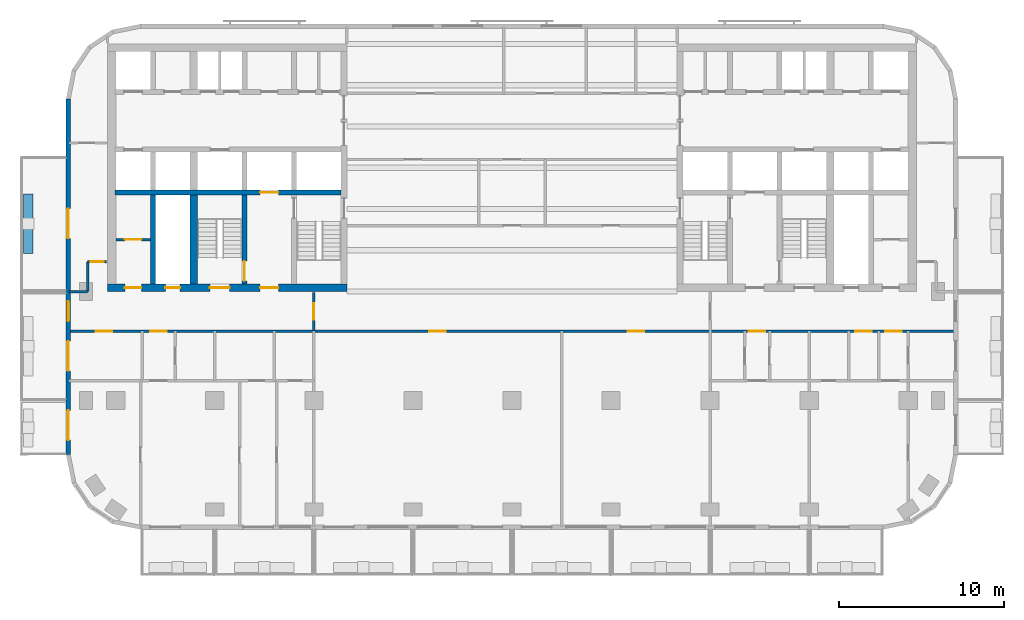
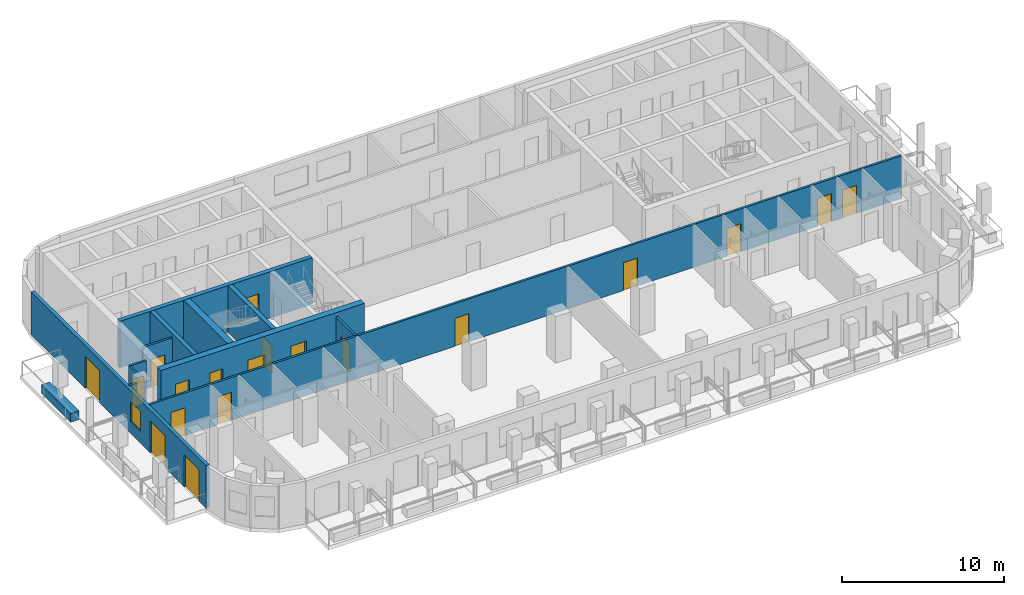
# One storey, part 3 of 11: 19 doors, 13 walls, 1 window, 20 openings.
"""IFC4 building model written with IfcOpenShell, lengths in metres."""

from ifc_helpers import new_model, si_unit, direction, frame, frame_2d, origin, place, context, subcontext, project, spatial, rectangle, extrude, material, layer, layer_set, type_object, element, fill, save


model = new_model("IFC4")

# Units and contexts
model_context = context("Model", 3, precision=1e-05, world=origin(), true_north=direction((0.0, 1.0)))
body_context = subcontext(model_context, "Body", "Model", "MODEL_VIEW")
ifc_project = project(units=[si_unit("LENGTHUNIT", "METRE"), si_unit("AREAUNIT", "SQUARE_METRE"), si_unit("VOLUMEUNIT", "CUBIC_METRE"), si_unit("PLANEANGLEUNIT", "RADIAN"), si_unit("MASSUNIT", "GRAM", prefix="KILO")], contexts=[model_context])

# Site, building, storey
site_placement = place(None, origin())
site = spatial("IfcSite", under=ifc_project, at=site_placement, CompositionType="ELEMENT")
building_placement = place(site_placement, origin())
building = spatial("IfcBuilding", under=site, at=building_placement, Name="Torana Hotel and Residences", CompositionType="ELEMENT")
storey_placement = place(building_placement, frame((0.0, 0.0, 204.60009765625)))
storey = spatial("IfcBuildingStorey", under=building, at=storey_placement, Name="L53", CompositionType="ELEMENT", Elevation=204.60009765625)

# Wall, opening, door
ifc_material_1 = material(Name="Concrete C70/85", Category="concrete")
ifc_layer_1 = layer(ifc_material_1, 0.300048828125)
ifc_layer_set_1 = layer_set([ifc_layer_1], Name="CORE WALL 300 C70/85")
wall_type_1 = type_object("IfcWallType", Name="CORE WALL 300 C70/85", PredefinedType="SHEAR", material=ifc_layer_set_1)
wall_1_placement = place(storey_placement, frame((-24.050048828125, -9.0, 0.0), z_axis=(0.0, 0.0, 1.0), x_axis=(1.0, 0.0, 0.0)))
wall_1 = element("IfcWall", 1, at=wall_1_placement, inside=storey, type_object=wall_type_1, Name="Core wall W band", PredefinedType="SHEAR", context=body_context, shape_type="SweptSolid", body=[
    extrude(rectangle(XDim=13.699951171875, YDim=0.300048828125, at=frame_2d((6.85009765625, 0.0))), origin(), (0.0, 0.0, 1.0), 3.5),
])
opening_1_placement = place(wall_1_placement, frame((8.800048828125, 0.0, 0.0)))
opening_1 = element("IfcOpeningElement", 2, at=opening_1_placement, cuts=wall_1, Name="Opening LD", PredefinedType="OPENING", context=body_context, shape_type="SweptSolid", body=[
    extrude(rectangle(XDim=1.10009765625, YDim=2.10009765625, at=frame_2d((0.550048828125, 1.050048828125))), frame((0.0, 0.159912109375, 0.0), z_axis=(0.0, -1.0, 0.0), x_axis=(1.0, 0.0, 0.0)), (0.0, 0.0, 1.0), 0.320068359375),
])
ifc_material_2 = material(Name="Stainless steel 316", Category="steel")
door_type_1 = type_object("IfcDoorType", Name="LIFT LANDING DOOR LD 1100x2100", OperationType="DOUBLE_DOOR_SLIDING", PredefinedType="USERDEFINED", material=ifc_material_2)
door_1_placement = place(opening_1_placement, origin())
door_1 = element("IfcDoor", 3, at=door_1_placement, inside=storey, type_object=door_type_1, Name="Lift landing door FF1 L53", ObjectType="LIFT LANDING DOOR", OperationType="DOUBLE_DOOR_SLIDING", OverallHeight=2.10009765625, OverallWidth=1.10009765625, PredefinedType="USERDEFINED", context=body_context, shape_type="SweptSolid", body=[
    extrude(rectangle(XDim=1.10009765625, YDim=2.10009765625, at=frame_2d((0.550048828125, 1.050048828125))), frame((0.0, 0.02490234375, 0.0), z_axis=(0.0, -1.0, 0.0), x_axis=(1.0, 0.0, 0.0)), (0.0, 0.0, 1.0), 0.050048828125),
])
fill(opening_1, door_1)

wall_2_placement = place(storey_placement, frame((-16.199951171875, -14.550048828125, 0.0), z_axis=(0.0, 0.0, 1.0), x_axis=(0.0, 1.0, 0.0)))
wall_2 = element("IfcWall", 4, at=wall_2_placement, inside=storey, type_object=wall_type_1, Name="Core wall W x6.05-band", PredefinedType="SHEAR", context=body_context, shape_type="SweptSolid", body=[
    extrude(rectangle(XDim=5.400146484375, YDim=0.300048828125, at=frame_2d((2.7001953125, 0.0))), origin(), (0.0, 0.0, 1.0), 3.5),
])
opening_2_placement = place(wall_2_placement, frame((0.199951171875, 0.0, 0.0)))
opening_2 = element("IfcOpeningElement", 5, at=opening_2_placement, cuts=wall_2, Name="Opening L53-15", PredefinedType="OPENING", context=body_context, shape_type="SweptSolid", body=[
    extrude(rectangle(XDim=1.199951171875, YDim=2.10009765625, at=frame_2d((0.60009765625, 1.050048828125))), frame((0.0, 0.159912109375, 0.0), z_axis=(0.0, -1.0, 0.0), x_axis=(1.0, 0.0, 0.0)), (0.0, 0.0, 1.0), 0.320068359375),
])
ifc_material_3 = material(Name="Steel S235", Category="steel")
door_type_2 = type_object("IfcDoorType", Name="STAIR FIRE DOOR D3 1200x2100", OperationType="SINGLE_SWING_LEFT", PredefinedType="DOOR", material=ifc_material_3)
door_2_placement = place(opening_2_placement, origin())
door_2 = element("IfcDoor", 6, at=door_2_placement, inside=storey, type_object=door_type_2, Name="Stair-B-lobby door L53", OperationType="SINGLE_SWING_RIGHT", OverallHeight=2.10009765625, OverallWidth=1.199951171875, PredefinedType="DOOR", context=body_context, shape_type="SweptSolid", body=[
    extrude(rectangle(XDim=1.199951171875, YDim=2.10009765625, at=frame_2d((0.60009765625, 1.050048828125))), frame((0.0, 0.02490234375, 0.0), z_axis=(0.0, -1.0, 0.0), x_axis=(1.0, 0.0, 0.0)), (0.0, 0.0, 1.0), 0.050048828125),
])
fill(opening_2, door_2)

# Wall
wall_3_placement = place(storey_placement, frame((-21.75, -14.550048828125, 0.0), z_axis=(0.0, 0.0, 1.0), x_axis=(0.0, 1.0, 0.0)))
element("IfcWall", 7, at=wall_3_placement, inside=storey, type_object=wall_type_1, Name="Core wall W mm-band", PredefinedType="SHEAR", context=body_context, shape_type="SweptSolid", body=[
    extrude(rectangle(XDim=5.400146484375, YDim=0.300048828125, at=frame_2d((2.7001953125, 0.0))), origin(), (0.0, 0.0, 1.0), 3.5),
])

# Wall, openings, doors
ifc_material_4 = material(Name="Concrete C70/85", Category="concrete")
ifc_layer_2 = layer(ifc_material_4, 0.449951171875)
ifc_layer_set_2 = layer_set([ifc_layer_2], Name="CORE WALL 450 C70/85")
wall_type_2 = type_object("IfcWallType", Name="CORE WALL 450 C70/85", PredefinedType="SHEAR", material=ifc_layer_set_2)
wall_4_placement = place(storey_placement, frame((-24.5, -14.77490234375, 0.0), z_axis=(0.0, 0.0, 1.0), x_axis=(1.0, 0.0, 0.0)))
wall_4 = element("IfcWall", 8, at=wall_4_placement, inside=storey, type_object=wall_type_2, Name="Core wall W front", PredefinedType="SHEAR", context=body_context, shape_type="SweptSolid", body=[
    extrude(rectangle(XDim=14.5, YDim=0.449951171875, at=frame_2d((7.25, 0.0))), origin(), (0.0, 0.0, 1.0), 3.5),
])
opening_3_placement = place(wall_4_placement, frame((6.199951171875, 0.0, 0.0)))
opening_3 = element("IfcOpeningElement", 9, at=opening_3_placement, cuts=wall_4, Name="Opening L53-04", PredefinedType="OPENING", context=body_context, shape_type="SweptSolid", body=[
    extrude(rectangle(XDim=1.199951171875, YDim=2.10009765625, at=frame_2d((0.60009765625, 1.050048828125))), frame((0.0, 0.23486328125, 0.0), z_axis=(0.0, -1.0, 0.0), x_axis=(1.0, 0.0, 0.0)), (0.0, 0.0, 1.0), 0.469970703125),
])
opening_4_placement = place(wall_4_placement, frame((9.25, 0.0, 0.0)))
opening_4 = element("IfcOpeningElement", 10, at=opening_4_placement, cuts=wall_4, Name="Opening L53-05", PredefinedType="OPENING", context=body_context, shape_type="SweptSolid", body=[
    extrude(rectangle(XDim=1.10009765625, YDim=2.10009765625, at=frame_2d((0.550048828125, 1.050048828125))), frame((0.0, 0.23486328125, 0.0), z_axis=(0.0, -1.0, 0.0), x_axis=(1.0, 0.0, 0.0)), (0.0, 0.0, 1.0), 0.469970703125),
])
opening_5_placement = place(wall_4_placement, frame((3.5, 0.0, 0.0)))
opening_5 = element("IfcOpeningElement", 11, at=opening_5_placement, cuts=wall_4, Name="Opening L53-06", PredefinedType="OPENING", context=body_context, shape_type="SweptSolid", body=[
    extrude(rectangle(XDim=0.89990234375, YDim=2.10009765625, at=frame_2d((0.449951171875, 1.050048828125))), frame((0.0, 0.23486328125, 0.0), z_axis=(0.0, -1.0, 0.0), x_axis=(1.0, 0.0, 0.0)), (0.0, 0.0, 1.0), 0.469970703125),
])
opening_6_placement = place(wall_4_placement, frame((1.050048828125, 0.0, 0.0)))
opening_6 = element("IfcOpeningElement", 12, at=opening_6_placement, cuts=wall_4, Name="Opening L53-07", PredefinedType="OPENING", context=body_context, shape_type="SweptSolid", body=[
    extrude(rectangle(XDim=1.0, YDim=2.10009765625, at=frame_2d((0.5, 1.050048828125))), frame((0.0, 0.23486328125, 0.0), z_axis=(0.0, -1.0, 0.0), x_axis=(1.0, 0.0, 0.0)), (0.0, 0.0, 1.0), 0.469970703125),
])
ifc_material_5 = material(Name="Steel S235", Category="steel")
door_type_3 = type_object("IfcDoorType", Name="CORE ROOM FIRE DOOR D14 1000x2100", OperationType="SINGLE_SWING_LEFT", PredefinedType="DOOR", material=ifc_material_5)
door_3_placement = place(opening_6_placement, origin())
door_3 = element("IfcDoor", 13, at=door_3_placement, inside=storey, type_object=door_type_3, Name="M-Room-B door L53", OperationType="SINGLE_SWING_RIGHT", OverallHeight=2.10009765625, OverallWidth=1.0, PredefinedType="DOOR", context=body_context, shape_type="SweptSolid", body=[
    extrude(rectangle(XDim=1.0, YDim=2.10009765625, at=frame_2d((0.5, 1.050048828125))), frame((0.0, 0.02490234375, 0.0), z_axis=(0.0, -1.0, 0.0), x_axis=(1.0, 0.0, 0.0)), (0.0, 0.0, 1.0), 0.050048828125),
])
fill(opening_6, door_3)
ifc_material_6 = material(Name="Steel S235", Category="steel")
door_type_4 = type_object("IfcDoorType", Name="FIRE-FIGHTING LOBBY DOOR D8 1100x2100", OperationType="SINGLE_SWING_LEFT", PredefinedType="DOOR", material=ifc_material_6)
door_4_placement = place(opening_4_placement, origin())
door_4 = element("IfcDoor", 14, at=door_4_placement, inside=storey, type_object=door_type_4, Name="FF-lobby door L53", OperationType="SINGLE_SWING_RIGHT", OverallHeight=2.10009765625, OverallWidth=1.10009765625, PredefinedType="DOOR", context=body_context, shape_type="SweptSolid", body=[
    extrude(rectangle(XDim=1.10009765625, YDim=2.10009765625, at=frame_2d((0.550048828125, 1.050048828125))), frame((0.0, 0.02490234375, 0.0), z_axis=(0.0, -1.0, 0.0), x_axis=(1.0, 0.0, 0.0)), (0.0, 0.0, 1.0), 0.050048828125),
])
fill(opening_4, door_4)
ifc_material_7 = material(Name="Steel S235", Category="steel")
door_type_5 = type_object("IfcDoorType", Name="RISER ACCESS DOOR D5 900x2100", OperationType="SINGLE_SWING_LEFT", PredefinedType="DOOR", material=ifc_material_7)
door_5_placement = place(opening_5_placement, origin())
door_5 = element("IfcDoor", 15, at=door_5_placement, inside=storey, type_object=door_type_5, Name="M-Riser door L53", OperationType="SINGLE_SWING_RIGHT", OverallHeight=2.10009765625, OverallWidth=0.89990234375, PredefinedType="DOOR", context=body_context, shape_type="SweptSolid", body=[
    extrude(rectangle(XDim=0.89990234375, YDim=2.10009765625, at=frame_2d((0.449951171875, 1.050048828125))), frame((0.0, 0.02490234375, 0.0), z_axis=(0.0, -1.0, 0.0), x_axis=(1.0, 0.0, 0.0)), (0.0, 0.0, 1.0), 0.050048828125),
])
fill(opening_5, door_5)
door_6_placement = place(opening_3_placement, origin())
door_6 = element("IfcDoor", 16, at=door_6_placement, inside=storey, type_object=door_type_2, Name="Stair-B door L53", OperationType="SINGLE_SWING_RIGHT", OverallHeight=2.10009765625, OverallWidth=1.199951171875, PredefinedType="DOOR", context=body_context, shape_type="SweptSolid", body=[
    extrude(rectangle(XDim=1.199951171875, YDim=2.10009765625, at=frame_2d((0.60009765625, 1.050048828125))), frame((0.0, 0.02490234375, 0.0), z_axis=(0.0, -1.0, 0.0), x_axis=(1.0, 0.0, 0.0)), (0.0, 0.0, 1.0), 0.050048828125),
])
fill(opening_3, door_6)

# Wall
wall_5_placement = place(storey_placement, frame((-19.27490234375, -14.550048828125, 0.0), z_axis=(0.0, 0.0, 1.0), x_axis=(0.0, 1.0, 0.0)))
element("IfcWall", 17, at=wall_5_placement, inside=storey, type_object=wall_type_2, Name="Core wall W hm-band", PredefinedType="SHEAR", context=body_context, shape_type="SweptSolid", body=[
    extrude(rectangle(XDim=5.400146484375, YDim=0.449951171875, at=frame_2d((2.7001953125, 0.0))), origin(), (0.0, 0.0, 1.0), 3.5),
])

# Wall, openings, doors, window
ifc_material_8 = material(Name="Black aluminium composite panel", Category="aluminium")
ifc_layer_3 = layer(ifc_material_8, 0.00390625, Name="Cladding", Category="cladding")
ifc_material_9 = material(Name="Ventilated air cavity")
ifc_layer_4 = layer(ifc_material_9, 0.0400390625, Name="Ventilated cavity", Category="cavity")
ifc_material_10 = material(Name="Mineral wool insulation")
ifc_layer_5 = layer(ifc_material_10, 0.090087890625, Name="Insulation", Category="insulation")
ifc_material_11 = material(Name="Steel S280GD", Category="steel")
ifc_layer_6 = layer(ifc_material_11, 0.092041015625, Name="Steel stud frame", Category="structure")
ifc_material_12 = material(Name="Fire rated plasterboard")
ifc_layer_7 = layer(ifc_material_12, 0.011962890625, Name="Inner board", Category="finish")
ifc_layer_8 = layer(ifc_material_12, 0.011962890625, Name="Second board", Category="finish")
ifc_layer_set_3 = layer_set([ifc_layer_3, ifc_layer_4, ifc_layer_5, ifc_layer_6, ifc_layer_7, ifc_layer_8], Name="EW1 EXTERNAL WALL BLACK METAL CLAD 250")
wall_type_3 = type_object("IfcWallType", Name="EW1 EXTERNAL WALL BLACK METAL CLAD 250", PredefinedType="SOLIDWALL", material=ifc_layer_set_3)
wall_6_placement = place(storey_placement, frame((-26.875, -3.32470703125, 0.0), z_axis=(0.0, 0.0, 1.0), x_axis=(0.0, -1.0, 0.0)))
wall_6 = element("IfcWall", 18, at=wall_6_placement, inside=storey, type_object=wall_type_3, Name="External wall L53 e0.9", PredefinedType="SOLIDWALL", context=body_context, shape_type="SweptSolid", body=[
    extrude(rectangle(XDim=21.55078125, YDim=0.25, at=frame_2d((10.775390625, 0.0))), origin(), (0.0, 0.0, 1.0), 3.219970703125),
])
opening_7_placement = place(wall_6_placement, frame((6.650390625, 0.0, 0.0)))
opening_7 = element("IfcOpeningElement", 19, at=opening_7_placement, cuts=wall_6, Name="Opening L53-E12", PredefinedType="OPENING", context=body_context, shape_type="SweptSolid", body=[
    extrude(rectangle(XDim=1.800048828125, YDim=2.39990234375, at=frame_2d((0.89990234375, 1.199951171875))), frame((0.0, 0.135009765625, 0.0), z_axis=(0.0, -1.0, 0.0), x_axis=(1.0, 0.0, 0.0)), (0.0, 0.0, 1.0), 0.27001953125),
])
opening_8_placement = place(wall_6_placement, frame((12.275390625, 0.0, 0.89990234375)))
opening_8 = element("IfcOpeningElement", 20, at=opening_8_placement, cuts=wall_6, Name="Opening W5", PredefinedType="OPENING", context=body_context, shape_type="SweptSolid", body=[
    extrude(rectangle(XDim=1.199951171875, YDim=1.5, at=frame_2d((0.60009765625, 0.75))), frame((0.0, 0.135009765625, 0.0), z_axis=(0.0, -1.0, 0.0), x_axis=(1.0, 0.0, 0.0)), (0.0, 0.0, 1.0), 0.27001953125),
])
opening_9_placement = place(wall_6_placement, frame((14.67529296875, 0.0, 0.0)))
opening_9 = element("IfcOpeningElement", 21, at=opening_9_placement, cuts=wall_6, Name="Opening L53-E13", PredefinedType="OPENING", context=body_context, shape_type="SweptSolid", body=[
    extrude(rectangle(XDim=1.800048828125, YDim=2.39990234375, at=frame_2d((0.89990234375, 1.199951171875))), frame((0.0, 0.135009765625, 0.0), z_axis=(0.0, -1.0, 0.0), x_axis=(1.0, 0.0, 0.0)), (0.0, 0.0, 1.0), 0.27001953125),
])
opening_10_placement = place(wall_6_placement, frame((18.87548828125, 0.0, 0.0)))
opening_10 = element("IfcOpeningElement", 22, at=opening_10_placement, cuts=wall_6, Name="Opening L53-E14", PredefinedType="OPENING", context=body_context, shape_type="SweptSolid", body=[
    extrude(rectangle(XDim=1.800048828125, YDim=2.39990234375, at=frame_2d((0.89990234375, 1.199951171875))), frame((0.0, 0.135009765625, 0.0), z_axis=(0.0, -1.0, 0.0), x_axis=(1.0, 0.0, 0.0)), (0.0, 0.0, 1.0), 0.27001953125),
])
ifc_material_13 = material(Name="Dark glass in black aluminium frame", Category="aluminium")
door_type_6 = type_object("IfcDoorType", Name="DB1 BALCONY DOOR 1800x2400", OperationType="DOUBLE_DOOR_SINGLE_SWING", PredefinedType="DOOR", material=ifc_material_13)
door_7_placement = place(opening_7_placement, origin())
door_7 = element("IfcDoor", 23, at=door_7_placement, inside=storey, type_object=door_type_6, Name="Balcony door L53", OperationType="DOUBLE_DOOR_SINGLE_SWING", OverallHeight=2.39990234375, OverallWidth=1.800048828125, PredefinedType="DOOR", context=body_context, shape_type="SweptSolid", body=[
    extrude(rectangle(XDim=1.800048828125, YDim=2.39990234375, at=frame_2d((0.89990234375, 1.199951171875))), frame((0.0, 0.02490234375, 0.0), z_axis=(0.0, -1.0, 0.0), x_axis=(1.0, 0.0, 0.0)), (0.0, 0.0, 1.0), 0.050048828125),
])
fill(opening_7, door_7)
door_8_placement = place(opening_9_placement, origin())
door_8 = element("IfcDoor", 24, at=door_8_placement, inside=storey, type_object=door_type_6, Name="Balcony door L53", OperationType="DOUBLE_DOOR_SINGLE_SWING", OverallHeight=2.39990234375, OverallWidth=1.800048828125, PredefinedType="DOOR", context=body_context, shape_type="SweptSolid", body=[
    extrude(rectangle(XDim=1.800048828125, YDim=2.39990234375, at=frame_2d((0.89990234375, 1.199951171875))), frame((0.0, 0.02490234375, 0.0), z_axis=(0.0, -1.0, 0.0), x_axis=(1.0, 0.0, 0.0)), (0.0, 0.0, 1.0), 0.050048828125),
])
fill(opening_9, door_8)
door_9_placement = place(opening_10_placement, origin())
door_9 = element("IfcDoor", 25, at=door_9_placement, inside=storey, type_object=door_type_6, Name="Balcony door L53", OperationType="DOUBLE_DOOR_SINGLE_SWING", OverallHeight=2.39990234375, OverallWidth=1.800048828125, PredefinedType="DOOR", context=body_context, shape_type="SweptSolid", body=[
    extrude(rectangle(XDim=1.800048828125, YDim=2.39990234375, at=frame_2d((0.89990234375, 1.199951171875))), frame((0.0, 0.02490234375, 0.0), z_axis=(0.0, -1.0, 0.0), x_axis=(1.0, 0.0, 0.0)), (0.0, 0.0, 1.0), 0.050048828125),
])
fill(opening_10, door_9)
ifc_material_14 = material(Name="Dark glass in black aluminium frame", Category="aluminium")
window_type = type_object("IfcWindowType", Name="W5 CORNER FACET WINDOW 1200x1500", PartitioningType="SINGLE_PANEL", PredefinedType="WINDOW", material=ifc_material_14)
window_placement = place(opening_8_placement, origin())
window = element("IfcWindow", 26, at=window_placement, inside=storey, type_object=window_type, Name="Window L53", OverallHeight=1.5, OverallWidth=1.199951171875, PartitioningType="SINGLE_PANEL", PredefinedType="WINDOW", context=body_context, shape_type="SweptSolid", body=[
    extrude(rectangle(XDim=1.199951171875, YDim=1.5, at=frame_2d((0.60009765625, 0.75))), frame((0.0, 0.030029296875, 0.0), z_axis=(0.0, -1.0, 0.0), x_axis=(1.0, 0.0, 0.0)), (0.0, 0.0, 1.0), 0.06005859375),
])
fill(opening_8, window)

# Wall, opening, door
ifc_material_15 = material(Name="Gypsum plaster")
ifc_layer_9 = layer(ifc_material_15, 0.014892578125, Name="Plaster", Category="finish")
ifc_material_16 = material(Name="Concrete blockwork", Category="masonry")
ifc_layer_10 = layer(ifc_material_16, 0.1201171875, Name="Blockwork", Category="structure")
ifc_layer_11 = layer(ifc_material_15, 0.014892578125, Name="Plaster", Category="finish")
ifc_layer_set_4 = layer_set([ifc_layer_9, ifc_layer_10, ifc_layer_11], Name="FIRE PARTITION 150 BLOCKWORK")
wall_type_4 = type_object("IfcWallType", Name="FIRE PARTITION 150 BLOCKWORK", PredefinedType="PARTITIONING", material=ifc_layer_set_4)
wall_7_placement = place(storey_placement, frame((-24.0, -11.85009765625, 0.0), z_axis=(0.0, 0.0, 1.0), x_axis=(1.0, 0.0, 0.0)))
wall_7 = element("IfcWall", 27, at=wall_7_placement, inside=storey, type_object=wall_type_4, Name="Core partition L53", PredefinedType="PARTITIONING", context=body_context, shape_type="SweptSolid", body=[
    extrude(rectangle(XDim=2.10009765625, YDim=0.14990234375, at=frame_2d((1.050048828125, 0.0))), origin(), (0.0, 0.0, 1.0), 3.199951171875),
])
opening_11_placement = place(wall_7_placement, frame((0.550048828125, 0.0, 0.0)))
opening_11 = element("IfcOpeningElement", 28, at=opening_11_placement, cuts=wall_7, Name="Opening L53-31", PredefinedType="OPENING", context=body_context, shape_type="SweptSolid", body=[
    extrude(rectangle(XDim=1.0, YDim=2.10009765625, at=frame_2d((0.5, 1.050048828125))), frame((0.0, 0.0849609375, 0.0), z_axis=(0.0, -1.0, 0.0), x_axis=(1.0, 0.0, 0.0)), (0.0, 0.0, 1.0), 0.169921875),
])
door_10_placement = place(opening_11_placement, origin())
door_10 = element("IfcDoor", 29, at=door_10_placement, inside=storey, type_object=door_type_3, Name="Plant room door L53", OperationType="SINGLE_SWING_RIGHT", OverallHeight=2.10009765625, OverallWidth=1.0, PredefinedType="DOOR", context=body_context, shape_type="SweptSolid", body=[
    extrude(rectangle(XDim=1.0, YDim=2.10009765625, at=frame_2d((0.5, 1.050048828125))), frame((0.0, 0.02490234375, 0.0), z_axis=(0.0, -1.0, 0.0), x_axis=(1.0, 0.0, 0.0)), (0.0, 0.0, 1.0), 0.050048828125),
])
fill(opening_11, door_10)

wall_8_placement = place(storey_placement, frame((-12.0, -17.39990234375, 0.0), z_axis=(0.0, 0.0, 1.0), x_axis=(0.0, 1.0, 0.0)))
wall_8 = element("IfcWall", 30, at=wall_8_placement, inside=storey, type_object=wall_type_4, Name="Partition L53", PredefinedType="PARTITIONING", context=body_context, shape_type="SweptSolid", body=[
    extrude(rectangle(XDim=2.349853515625, YDim=0.14990234375, at=frame_2d((1.1748046875, 0.0))), origin(), (0.0, 0.0, 1.0), 3.219970703125),
])
opening_12_placement = place(wall_8_placement, frame((0.699951171875, 0.0, 0.0)))
opening_12 = element("IfcOpeningElement", 31, at=opening_12_placement, cuts=wall_8, Name="Opening L53-33", PredefinedType="OPENING", context=body_context, shape_type="SweptSolid", body=[
    extrude(rectangle(XDim=1.0, YDim=2.10009765625, at=frame_2d((0.5, 1.050048828125))), frame((0.0, 0.0849609375, 0.0), z_axis=(0.0, -1.0, 0.0), x_axis=(1.0, 0.0, 0.0)), (0.0, 0.0, 1.0), 0.169921875),
])
ifc_material_17 = material(Name="Steel S235", Category="steel")
door_type_7 = type_object("IfcDoorType", Name="ENTRY FIRE DOOR D6 1000x2100", OperationType="SINGLE_SWING_LEFT", PredefinedType="DOOR", material=ifc_material_17)
door_11_placement = place(opening_12_placement, origin())
door_11 = element("IfcDoor", 32, at=door_11_placement, inside=storey, type_object=door_type_7, Name="Door L53", OperationType="SINGLE_SWING_RIGHT", OverallHeight=2.10009765625, OverallWidth=1.0, PredefinedType="DOOR", context=body_context, shape_type="SweptSolid", body=[
    extrude(rectangle(XDim=1.0, YDim=2.10009765625, at=frame_2d((0.5, 1.050048828125))), frame((0.0, 0.02490234375, 0.0), z_axis=(0.0, -1.0, 0.0), x_axis=(1.0, 0.0, 0.0)), (0.0, 0.0, 1.0), 0.050048828125),
])
fill(opening_12, door_11)

# Wall
wall_9_placement = place(storey_placement, frame((-25.699951171875, -15.0, 0.0), z_axis=(0.0, 0.0, 1.0), x_axis=(0.0, 1.0, 0.0)))
element("IfcWall", 33, at=wall_9_placement, inside=storey, type_object=wall_type_4, Name="Partition L53", PredefinedType="PARTITIONING", context=body_context, shape_type="SweptSolid", body=[
    extrude(rectangle(XDim=1.800048828125, YDim=0.14990234375, at=frame_2d((0.89990234375, 0.0))), origin(), (0.0, 0.0, 1.0), 3.219970703125),
])

# Wall, openings, doors
wall_10_placement = place(storey_placement, frame((-26.820068359375, -17.39990234375, 0.0), z_axis=(0.0, 0.0, 1.0), x_axis=(1.0, 0.0, 0.0)))
wall_10 = element("IfcWall", 34, at=wall_10_placement, inside=storey, type_object=wall_type_4, Name="Partition L53", PredefinedType="PARTITIONING", context=body_context, shape_type="SweptSolid", body=[
    extrude(rectangle(XDim=53.64013671875, YDim=0.14990234375, at=frame_2d((26.820068359375, 0.0))), origin(), (0.0, 0.0, 1.0), 3.219970703125),
])
opening_13_placement = place(wall_10_placement, frame((4.919921875, 0.0, 0.0)))
opening_13 = element("IfcOpeningElement", 35, at=opening_13_placement, cuts=wall_10, Name="Opening L53-34", PredefinedType="OPENING", context=body_context, shape_type="SweptSolid", body=[
    extrude(rectangle(XDim=1.0, YDim=2.10009765625, at=frame_2d((0.5, 1.050048828125))), frame((0.0, 0.0849609375, 0.0), z_axis=(0.0, -1.0, 0.0), x_axis=(1.0, 0.0, 0.0)), (0.0, 0.0, 1.0), 0.169921875),
])
opening_14_placement = place(wall_10_placement, frame((1.6201171875, 0.0, 0.0)))
opening_14 = element("IfcOpeningElement", 36, at=opening_14_placement, cuts=wall_10, Name="Opening L53-35", PredefinedType="OPENING", context=body_context, shape_type="SweptSolid", body=[
    extrude(rectangle(XDim=1.0, YDim=2.10009765625, at=frame_2d((0.5, 1.050048828125))), frame((0.0, 0.0849609375, 0.0), z_axis=(0.0, -1.0, 0.0), x_axis=(1.0, 0.0, 0.0)), (0.0, 0.0, 1.0), 0.169921875),
])
opening_15_placement = place(wall_10_placement, frame((41.169921875, 0.0, 0.0)))
opening_15 = element("IfcOpeningElement", 37, at=opening_15_placement, cuts=wall_10, Name="Opening L53-38", PredefinedType="OPENING", context=body_context, shape_type="SweptSolid", body=[
    extrude(rectangle(XDim=1.0, YDim=2.10009765625, at=frame_2d((0.5, 1.050048828125))), frame((0.0, 0.0849609375, 0.0), z_axis=(0.0, -1.0, 0.0), x_axis=(1.0, 0.0, 0.0)), (0.0, 0.0, 1.0), 0.169921875),
])
opening_16_placement = place(wall_10_placement, frame((49.419921875, 0.0, 0.0)))
opening_16 = element("IfcOpeningElement", 38, at=opening_16_placement, cuts=wall_10, Name="Opening L53-39", PredefinedType="OPENING", context=body_context, shape_type="SweptSolid", body=[
    extrude(rectangle(XDim=1.0, YDim=2.10009765625, at=frame_2d((0.5, 1.050048828125))), frame((0.0, 0.0849609375, 0.0), z_axis=(0.0, -1.0, 0.0), x_axis=(1.0, 0.0, 0.0)), (0.0, 0.0, 1.0), 0.169921875),
])
opening_17_placement = place(wall_10_placement, frame((47.6201171875, 0.0, 0.0)))
opening_17 = element("IfcOpeningElement", 39, at=opening_17_placement, cuts=wall_10, Name="Opening L53-40", PredefinedType="OPENING", context=body_context, shape_type="SweptSolid", body=[
    extrude(rectangle(XDim=1.0, YDim=2.10009765625, at=frame_2d((0.5, 1.050048828125))), frame((0.0, 0.0849609375, 0.0), z_axis=(0.0, -1.0, 0.0), x_axis=(1.0, 0.0, 0.0)), (0.0, 0.0, 1.0), 0.169921875),
])
opening_18_placement = place(wall_10_placement, frame((21.820068359375, 0.0, 0.0)))
opening_18 = element("IfcOpeningElement", 40, at=opening_18_placement, cuts=wall_10, Name="Opening L53-43", PredefinedType="OPENING", context=body_context, shape_type="SweptSolid", body=[
    extrude(rectangle(XDim=1.0, YDim=2.10009765625, at=frame_2d((0.5, 1.050048828125))), frame((0.0, 0.0849609375, 0.0), z_axis=(0.0, -1.0, 0.0), x_axis=(1.0, 0.0, 0.0)), (0.0, 0.0, 1.0), 0.169921875),
])
opening_19_placement = place(wall_10_placement, frame((33.820068359375, 0.0, 0.0)))
opening_19 = element("IfcOpeningElement", 41, at=opening_19_placement, cuts=wall_10, Name="Opening L53-44", PredefinedType="OPENING", context=body_context, shape_type="SweptSolid", body=[
    extrude(rectangle(XDim=1.0, YDim=2.10009765625, at=frame_2d((0.5, 1.050048828125))), frame((0.0, 0.0849609375, 0.0), z_axis=(0.0, -1.0, 0.0), x_axis=(1.0, 0.0, 0.0)), (0.0, 0.0, 1.0), 0.169921875),
])
door_12_placement = place(opening_13_placement, origin())
door_12 = element("IfcDoor", 42, at=door_12_placement, inside=storey, type_object=door_type_7, Name="Door L53", OperationType="SINGLE_SWING_RIGHT", OverallHeight=2.10009765625, OverallWidth=1.0, PredefinedType="DOOR", context=body_context, shape_type="SweptSolid", body=[
    extrude(rectangle(XDim=1.0, YDim=2.10009765625, at=frame_2d((0.5, 1.050048828125))), frame((0.0, 0.02490234375, 0.0), z_axis=(0.0, -1.0, 0.0), x_axis=(1.0, 0.0, 0.0)), (0.0, 0.0, 1.0), 0.050048828125),
])
fill(opening_13, door_12)
door_13_placement = place(opening_14_placement, frame((0.5, 0.0, 0.0), z_axis=(0.0, 0.0, 1.0), x_axis=(-1.0, 0.0, 0.0)))
door_13 = element("IfcDoor", 43, at=door_13_placement, inside=storey, type_object=door_type_7, Name="Door L53", OperationType="SINGLE_SWING_LEFT", OverallHeight=2.10009765625, OverallWidth=1.0, PredefinedType="DOOR", context=body_context, shape_type="SweptSolid", body=[
    extrude(rectangle(XDim=1.0, YDim=2.10009765625, at=frame_2d((0.0, 1.050048828125))), frame((0.0, -0.02490234375, 0.0), z_axis=(0.0, 1.0, 0.0), x_axis=(-1.0, 0.0, 0.0)), (0.0, 0.0, 1.0), 0.050048828125),
])
fill(opening_14, door_13)
door_14_placement = place(opening_15_placement, origin())
door_14 = element("IfcDoor", 44, at=door_14_placement, inside=storey, type_object=door_type_7, Name="Door L53", OperationType="SINGLE_SWING_RIGHT", OverallHeight=2.10009765625, OverallWidth=1.0, PredefinedType="DOOR", context=body_context, shape_type="SweptSolid", body=[
    extrude(rectangle(XDim=1.0, YDim=2.10009765625, at=frame_2d((0.5, 1.050048828125))), frame((0.0, 0.02490234375, 0.0), z_axis=(0.0, -1.0, 0.0), x_axis=(1.0, 0.0, 0.0)), (0.0, 0.0, 1.0), 0.050048828125),
])
fill(opening_15, door_14)
door_15_placement = place(opening_16_placement, origin())
door_15 = element("IfcDoor", 45, at=door_15_placement, inside=storey, type_object=door_type_7, Name="Door L53", OperationType="SINGLE_SWING_RIGHT", OverallHeight=2.10009765625, OverallWidth=1.0, PredefinedType="DOOR", context=body_context, shape_type="SweptSolid", body=[
    extrude(rectangle(XDim=1.0, YDim=2.10009765625, at=frame_2d((0.5, 1.050048828125))), frame((0.0, 0.02490234375, 0.0), z_axis=(0.0, -1.0, 0.0), x_axis=(1.0, 0.0, 0.0)), (0.0, 0.0, 1.0), 0.050048828125),
])
fill(opening_16, door_15)
door_16_placement = place(opening_17_placement, frame((0.5, 0.0, 0.0), z_axis=(0.0, 0.0, 1.0), x_axis=(-1.0, 0.0, 0.0)))
door_16 = element("IfcDoor", 46, at=door_16_placement, inside=storey, type_object=door_type_7, Name="Door L53", OperationType="SINGLE_SWING_LEFT", OverallHeight=2.10009765625, OverallWidth=1.0, PredefinedType="DOOR", context=body_context, shape_type="SweptSolid", body=[
    extrude(rectangle(XDim=1.0, YDim=2.10009765625, at=frame_2d((0.0, 1.050048828125))), frame((0.0, -0.02490234375, 0.0), z_axis=(0.0, 1.0, 0.0), x_axis=(-1.0, 0.0, 0.0)), (0.0, 0.0, 1.0), 0.050048828125),
])
fill(opening_17, door_16)
door_17_placement = place(opening_18_placement, frame((0.5, 0.0, 0.0), z_axis=(0.0, 0.0, 1.0), x_axis=(-1.0, 0.0, 0.0)))
door_17 = element("IfcDoor", 47, at=door_17_placement, inside=storey, type_object=door_type_7, Name="Door L53", OperationType="SINGLE_SWING_LEFT", OverallHeight=2.10009765625, OverallWidth=1.0, PredefinedType="DOOR", context=body_context, shape_type="SweptSolid", body=[
    extrude(rectangle(XDim=1.0, YDim=2.10009765625, at=frame_2d((0.0, 1.050048828125))), frame((0.0, -0.02490234375, 0.0), z_axis=(0.0, 1.0, 0.0), x_axis=(-1.0, 0.0, 0.0)), (0.0, 0.0, 1.0), 0.050048828125),
])
fill(opening_18, door_17)
door_18_placement = place(opening_19_placement, frame((0.5, 0.0, 0.0), z_axis=(0.0, 0.0, 1.0), x_axis=(-1.0, 0.0, 0.0)))
door_18 = element("IfcDoor", 48, at=door_18_placement, inside=storey, type_object=door_type_7, Name="Door L53", OperationType="SINGLE_SWING_LEFT", OverallHeight=2.10009765625, OverallWidth=1.0, PredefinedType="DOOR", context=body_context, shape_type="SweptSolid", body=[
    extrude(rectangle(XDim=1.0, YDim=2.10009765625, at=frame_2d((0.0, 1.050048828125))), frame((0.0, -0.02490234375, 0.0), z_axis=(0.0, 1.0, 0.0), x_axis=(-1.0, 0.0, 0.0)), (0.0, 0.0, 1.0), 0.050048828125),
])
fill(opening_19, door_18)

# Wall
wall_11_placement = place(storey_placement, frame((-26.820068359375, -15.0, 0.0), z_axis=(0.0, 0.0, 1.0), x_axis=(1.0, 0.0, 0.0)))
element("IfcWall", 49, at=wall_11_placement, inside=storey, type_object=wall_type_4, Name="Partition L53", PredefinedType="PARTITIONING", context=body_context, shape_type="SweptSolid", body=[
    extrude(rectangle(XDim=1.1201171875, YDim=0.14990234375, at=frame_2d((0.56005859375, 0.0))), origin(), (0.0, 0.0, 1.0), 3.219970703125),
])

# Wall, opening, door
wall_12_placement = place(storey_placement, frame((-25.699951171875, -13.199951171875, 0.0), z_axis=(0.0, 0.0, 1.0), x_axis=(1.0, 0.0, 0.0)))
wall_12 = element("IfcWall", 50, at=wall_12_placement, inside=storey, type_object=wall_type_4, Name="Partition L53", PredefinedType="PARTITIONING", context=body_context, shape_type="SweptSolid", body=[
    extrude(rectangle(XDim=1.14990234375, YDim=0.14990234375, at=frame_2d((0.574951171875, 0.0))), origin(), (0.0, 0.0, 1.0), 3.219970703125),
])
opening_20_placement = place(wall_12_placement, frame((0.175048828125, 0.0, 0.0)))
opening_20 = element("IfcOpeningElement", 51, at=opening_20_placement, cuts=wall_12, Name="Opening L53-36", PredefinedType="OPENING", context=body_context, shape_type="SweptSolid", body=[
    extrude(rectangle(XDim=0.800048828125, YDim=2.10009765625, at=frame_2d((0.39990234375, 1.050048828125))), frame((0.0, 0.0849609375, 0.0), z_axis=(0.0, -1.0, 0.0), x_axis=(1.0, 0.0, 0.0)), (0.0, 0.0, 1.0), 0.169921875),
])
ifc_material_18 = material(Name="Steel S235", Category="steel")
door_type_8 = type_object("IfcDoorType", Name="STORE FIRE DOOR D16 800x2100", OperationType="SINGLE_SWING_LEFT", PredefinedType="DOOR", material=ifc_material_18)
door_19_placement = place(opening_20_placement, origin())
door_19 = element("IfcDoor", 52, at=door_19_placement, inside=storey, type_object=door_type_8, Name="Door L53", OperationType="SINGLE_SWING_LEFT", OverallHeight=2.10009765625, OverallWidth=0.800048828125, PredefinedType="DOOR", context=body_context, shape_type="SweptSolid", body=[
    extrude(rectangle(XDim=0.800048828125, YDim=2.10009765625, at=frame_2d((0.39990234375, 1.050048828125))), frame((0.0, 0.02490234375, 0.0), z_axis=(0.0, -1.0, 0.0), x_axis=(1.0, 0.0, 0.0)), (0.0, 0.0, 1.0), 0.050048828125),
])
fill(opening_20, door_19)

# Wall
ifc_material_19 = material(Name="Concrete C40/50 precast", Category="concrete")
ifc_layer_12 = layer(ifc_material_19, 0.10009765625, Name="Planter shell", Category="structure")
ifc_material_20 = material(Name="Root resistant membrane")
ifc_layer_13 = layer(ifc_material_20, 0.00390625, Name="Waterproofing membrane", Category="membrane")
ifc_material_21 = material(Name="Drainage board with filter fleece")
ifc_layer_14 = layer(ifc_material_21, 0.02001953125, Name="Drainage board", Category="drainage")
ifc_material_22 = material(Name="Growing medium")
ifc_layer_15 = layer(ifc_material_22, 0.47607421875, Name="Planting substrate", Category="soil")
ifc_layer_set_5 = layer_set([ifc_layer_12, ifc_layer_13, ifc_layer_14, ifc_layer_15], Name="PL1 BALCONY PLANTER 600")
wall_type_5 = type_object("IfcWallType", Name="PL1 BALCONY PLANTER 600", PredefinedType="USERDEFINED", material=ifc_layer_set_5)
wall_13_placement = place(storey_placement, frame((-29.300048828125, -12.699951171875, 0.0), z_axis=(0.0, 0.0, 1.0), x_axis=(0.0, 1.0, 0.0)))
element("IfcWall", 53, at=wall_13_placement, inside=storey, type_object=wall_type_5, Name="Planter 11", ObjectType="PLANTER", PredefinedType="USERDEFINED", context=body_context, shape_type="SweptSolid", body=[
    extrude(rectangle(XDim=3.599853515625, YDim=0.60009765625, at=frame_2d((1.7998046875, 0.0))), origin(), (0.0, 0.0, 1.0), 0.64990234375),
])

save(model, "model.ifc")
